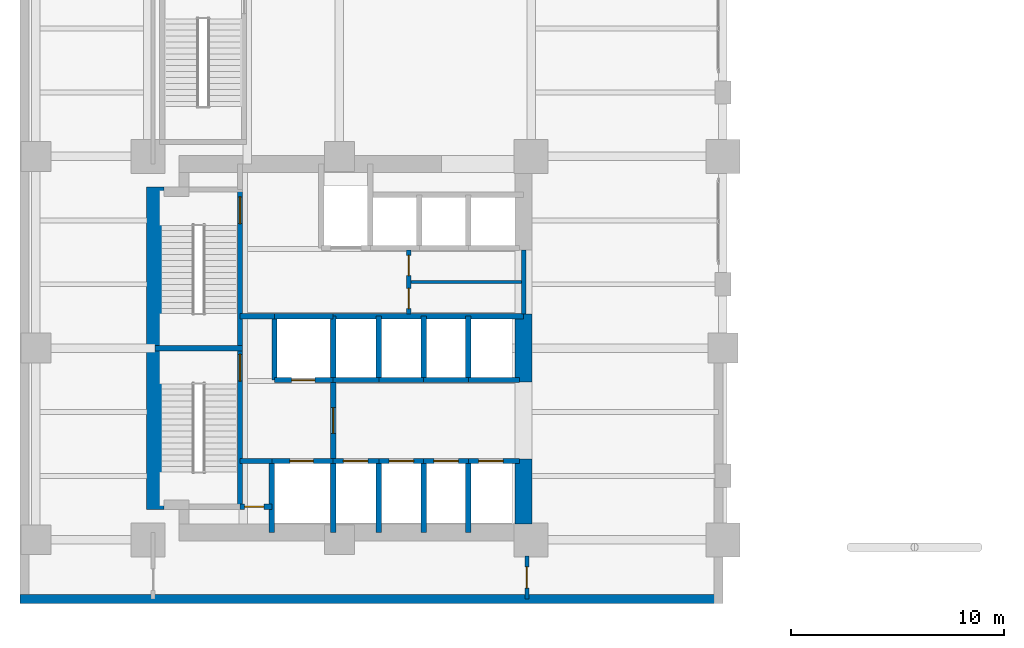
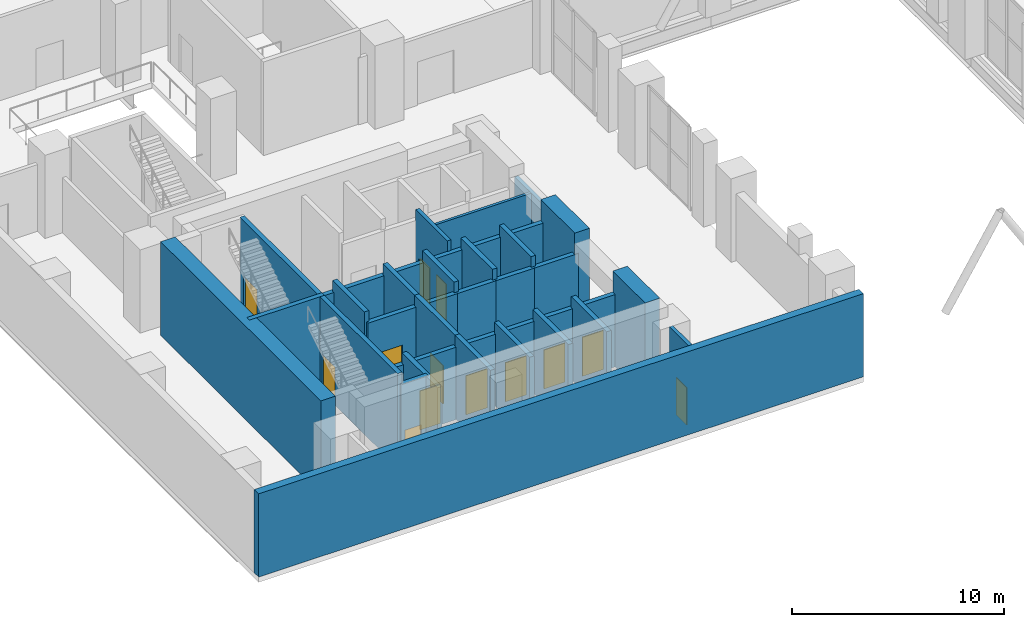
# One storey, part 9 of 13: 37 walls, 13 doors, 13 openings.
"""IFC4 building model written with IfcOpenShell, lengths in metres."""

from ifc_helpers import new_model, si_unit, direction, frame, frame_2d, origin, place, context, subcontext, project, spatial, rectangle, extrude, material, layer, layer_set, type_object, element, fill, save


model = new_model("IFC4")

# Units and contexts
model_context = context("Model", 3, precision=1e-05, world=origin(), true_north=direction((0.0, 1.0)))
body_context = subcontext(model_context, "Body", "Model", "MODEL_VIEW")
ifc_project = project(units=[si_unit("LENGTHUNIT", "METRE"), si_unit("AREAUNIT", "SQUARE_METRE"), si_unit("VOLUMEUNIT", "CUBIC_METRE"), si_unit("PLANEANGLEUNIT", "RADIAN"), si_unit("MASSUNIT", "GRAM", prefix="KILO")], contexts=[model_context])

# Site, building, storey
site_placement = place(None, origin())
site = spatial("IfcSite", under=ifc_project, at=site_placement, CompositionType="ELEMENT")
building_placement = place(site_placement, origin())
building = spatial("IfcBuilding", under=site, at=building_placement, Name="Mawjdan Bourse Tower", CompositionType="ELEMENT")
storey_placement = place(building_placement, frame((0.0, 0.0, 10.800048828125)))
storey = spatial("IfcBuildingStorey", under=building, at=storey_placement, Name="L02", CompositionType="ELEMENT", Elevation=10.800048828125)

# Wall
ifc_material_1 = material(Name="Brick Masonry Buff", Category="masonry")
ifc_layer_1 = layer(ifc_material_1, 0.419921875)
ifc_layer_set_1 = layer_set([ifc_layer_1], Name="Brick Masonry Buff")
wall_type_1 = type_object("IfcWallType", Name="WL-BRK-BUFF-420", PredefinedType="STANDARD", material=ifc_layer_set_1)
wall_1_placement = place(storey_placement, frame((0.0, 0.2099609375, 0.0), z_axis=(0.0, 0.0, 1.0), x_axis=(1.0, 0.0, 0.0)))
element("IfcWall", 1, at=wall_1_placement, inside=storey, type_object=wall_type_1, Name="L02 Podium Brick Wall SW-1", PredefinedType="STANDARD", context=body_context, shape_type="SweptSolid", body=[
    extrude(rectangle(XDim=33.0, YDim=0.419921875, at=frame_2d((16.5, 0.0))), origin(), (0.0, 0.0, 1.0), 4.800048828125),
])

# Wall, openings, doors
ifc_material_2 = material(Name="Gypsum Fireboard Assembly")
ifc_layer_2 = layer(ifc_material_2, 0.199951171875)
ifc_layer_set_2 = layer_set([ifc_layer_2], Name="Gypsum Fireboard Assembly")
wall_type_2 = type_object("IfcWallType", Name="WL-CMP-200", PredefinedType="PARTITIONING", material=ifc_layer_set_2)
wall_2_placement = place(storey_placement, frame((18.25, 13.60009765625, 0.0), z_axis=(0.0, 0.0, 1.0), x_axis=(0.0, 1.0, 0.0)))
wall_2 = element("IfcWall", 2, at=wall_2_placement, inside=storey, type_object=wall_type_2, Name="L02 Core Restroom West Wall", PredefinedType="PARTITIONING", context=body_context, shape_type="SweptSolid", body=[
    extrude(rectangle(XDim=3.0, YDim=0.199951171875, at=frame_2d((1.5, 0.0))), origin(), (0.0, 0.0, 1.0), 4.7900390625),
])
opening_1_placement = place(wall_2_placement, frame((0.25, 0.0, 0.0)))
opening_1 = element("IfcOpeningElement", 3, at=opening_1_placement, cuts=wall_2, Name="Opening D-L02-14", PredefinedType="OPENING", context=body_context, shape_type="SweptSolid", body=[
    extrude(rectangle(XDim=0.949951171875, YDim=2.10009765625, at=frame_2d((0.47509765625, 1.050048828125))), frame((0.0, 0.10986328125, 0.0), z_axis=(0.0, -1.0, 0.0), x_axis=(1.0, 0.0, 0.0)), (0.0, 0.0, 1.0), 0.219970703125),
])
opening_2_placement = place(wall_2_placement, frame((1.800048828125, 0.0, 0.0)))
opening_2 = element("IfcOpeningElement", 4, at=opening_2_placement, cuts=wall_2, Name="Opening D-L02-15", PredefinedType="OPENING", context=body_context, shape_type="SweptSolid", body=[
    extrude(rectangle(XDim=0.949951171875, YDim=2.10009765625, at=frame_2d((0.47509765625, 1.050048828125))), frame((0.0, 0.10986328125, 0.0), z_axis=(0.0, -1.0, 0.0), x_axis=(1.0, 0.0, 0.0)), (0.0, 0.0, 1.0), 0.219970703125),
])
ifc_material_3 = material(Name="Moisture-Resistant Laminate Timber", Category="wood")
door_type_1 = type_object("IfcDoorType", Name="DR-WET-0950", OperationType="NOTDEFINED", PredefinedType="DOOR", material=ifc_material_3)
door_1_placement = place(opening_1_placement, origin())
door_1 = element("IfcDoor", 5, at=door_1_placement, inside=storey, type_object=door_type_1, Name="L02 Accessible WC Entry Door D-L02-14", OperationType="SINGLE_SWING_LEFT", OverallHeight=2.10009765625, OverallWidth=0.949951171875, PredefinedType="DOOR", context=body_context, shape_type="SweptSolid", body=[
    extrude(rectangle(XDim=0.949951171875, YDim=2.10009765625, at=frame_2d((0.47509765625, 1.050048828125))), frame((0.0, 0.02490234375, 0.0), z_axis=(0.0, -1.0, 0.0), x_axis=(1.0, 0.0, 0.0)), (0.0, 0.0, 1.0), 0.050048828125),
])
fill(opening_1, door_1)
door_2_placement = place(opening_2_placement, origin())
door_2 = element("IfcDoor", 6, at=door_2_placement, inside=storey, type_object=door_type_1, Name="L02 Male Restroom Entry Door D-L02-15", OperationType="SINGLE_SWING_RIGHT", OverallHeight=2.10009765625, OverallWidth=0.949951171875, PredefinedType="DOOR", context=body_context, shape_type="SweptSolid", body=[
    extrude(rectangle(XDim=0.949951171875, YDim=2.10009765625, at=frame_2d((0.47509765625, 1.050048828125))), frame((0.0, 0.02490234375, 0.0), z_axis=(0.0, -1.0, 0.0), x_axis=(1.0, 0.0, 0.0)), (0.0, 0.0, 1.0), 0.050048828125),
])
fill(opening_2, door_2)

# Wall
wall_3_placement = place(storey_placement, frame((23.64990234375, 13.60009765625, 0.0), z_axis=(0.0, 0.0, 1.0), x_axis=(0.0, 1.0, 0.0)))
element("IfcWall", 7, at=wall_3_placement, inside=storey, type_object=wall_type_2, Name="L02 Core Restroom East Enclosing Wall", PredefinedType="PARTITIONING", context=body_context, shape_type="SweptSolid", body=[
    extrude(rectangle(XDim=3.0, YDim=0.199951171875, at=frame_2d((1.5, 0.0))), origin(), (0.0, 0.0, 1.0), 4.7900390625),
])

# Wall, opening, door
wall_4_placement = place(storey_placement, frame((23.800048828125, 0.2099609375, 0.0), z_axis=(0.0, 0.0, 1.0), x_axis=(0.0, 1.0, 0.0)))
wall_4 = element("IfcWall", 8, at=wall_4_placement, inside=storey, type_object=wall_type_2, Name="L02 South Overlook Promenade East Wall", PredefinedType="PARTITIONING", context=body_context, shape_type="SweptSolid", body=[
    extrude(rectangle(XDim=2.0400390625, YDim=0.199951171875, at=frame_2d((1.02001953125, 0.0))), origin(), (0.0, 0.0, 1.0), 4.7900390625),
])
opening_3_placement = place(wall_4_placement, frame((0.52001953125, 0.0, 0.0)))
opening_3 = element("IfcOpeningElement", 9, at=opening_3_placement, cuts=wall_4, Name="Opening D-L02-23", PredefinedType="OPENING", context=body_context, shape_type="SweptSolid", body=[
    extrude(rectangle(XDim=1.0, YDim=2.14990234375, at=frame_2d((0.5, 1.074951171875))), frame((0.0, 0.10986328125, 0.0), z_axis=(0.0, -1.0, 0.0), x_axis=(1.0, 0.0, 0.0)), (0.0, 0.0, 1.0), 0.219970703125),
])
ifc_material_4 = material(Name="Hardwood Acoustic Leaf", Category="wood")
door_type_2 = type_object("IfcDoorType", Name="DR-OFC-1000", OperationType="NOTDEFINED", PredefinedType="DOOR", material=ifc_material_4)
door_3_placement = place(opening_3_placement, origin())
door_3 = element("IfcDoor", 10, at=door_3_placement, inside=storey, type_object=door_type_2, Name="L02 South Overlook Promenade East Door D-L02-23", OperationType="SINGLE_SWING_RIGHT", OverallHeight=2.14990234375, OverallWidth=1.0, PredefinedType="DOOR", context=body_context, shape_type="SweptSolid", body=[
    extrude(rectangle(XDim=1.0, YDim=2.14990234375, at=frame_2d((0.5, 1.074951171875))), frame((0.0, 0.02490234375, 0.0), z_axis=(0.0, -1.0, 0.0), x_axis=(1.0, 0.0, 0.0)), (0.0, 0.0, 1.0), 0.050048828125),
])
fill(opening_3, door_3)

# Walls
ifc_material_5 = material(Name="Concrete C80/95", Category="concrete")
ifc_layer_3 = layer(ifc_material_5, 0.800048828125)
ifc_layer_set_3 = layer_set([ifc_layer_3], Name="Concrete C80/95")
wall_type_3 = type_object("IfcWallType", Name="WL-CORE-800", PredefinedType="SHEAR", material=ifc_layer_set_3)
wall_5_placement = place(storey_placement, frame((6.35009765625, 4.425048828125, 0.0), z_axis=(0.0, 0.0, 1.0), x_axis=(0.0, 1.0, 0.0)))
element("IfcWall", 11, at=wall_5_placement, inside=storey, type_object=wall_type_3, Name="L02 Rear Core Shear Wall W", PredefinedType="SHEAR", context=body_context, shape_type="SweptSolid", body=[
    extrude(rectangle(XDim=15.14990234375, YDim=0.800048828125, at=frame_2d((7.574951171875, 0.0))), origin(), (0.0, 0.0, 1.0), 5.39990234375),
])
wall_6_placement = place(storey_placement, frame((23.64990234375, 3.75, 0.0), z_axis=(0.0, 0.0, 1.0), x_axis=(0.0, 1.0, 0.0)))
element("IfcWall", 12, at=wall_6_placement, inside=storey, type_object=wall_type_3, Name="L02 Rear Core Shear Wall E1", PredefinedType="SHEAR", context=body_context, shape_type="SweptSolid", body=[
    extrude(rectangle(XDim=3.050048828125, YDim=0.800048828125, at=frame_2d((1.52490234375, 0.0))), origin(), (0.0, 0.0, 1.0), 5.39990234375),
])
wall_7_placement = place(storey_placement, frame((23.64990234375, 10.39990234375, 0.0), z_axis=(0.0, 0.0, 1.0), x_axis=(0.0, 1.0, 0.0)))
element("IfcWall", 13, at=wall_7_placement, inside=storey, type_object=wall_type_3, Name="L02 Rear Core Shear Wall E2", PredefinedType="SHEAR", context=body_context, shape_type="SweptSolid", body=[
    extrude(rectangle(XDim=3.2001953125, YDim=0.800048828125, at=frame_2d((1.60009765625, 0.0))), origin(), (0.0, 0.0, 1.0), 5.39990234375),
])
ifc_material_6 = material(Name="Gypsum Acoustic Partition")
ifc_layer_4 = layer(ifc_material_6, 0.14990234375)
ifc_layer_set_4 = layer_set([ifc_layer_4], Name="Gypsum Acoustic Partition")
wall_type_4 = type_object("IfcWallType", Name="WL-PRT-150", PredefinedType="PARTITIONING", material=ifc_layer_set_4)
wall_8_placement = place(storey_placement, frame((18.25, 15.10009765625, 0.0), z_axis=(0.0, 0.0, 1.0), x_axis=(1.0, 0.0, 0.0)))
element("IfcWall", 14, at=wall_8_placement, inside=storey, type_object=wall_type_4, Name="L02 Core Restroom Horizontal Split", PredefinedType="PARTITIONING", context=body_context, shape_type="SweptSolid", body=[
    extrude(rectangle(XDim=5.39990234375, YDim=0.14990234375, at=frame_2d((2.699951171875, 0.0))), origin(), (0.0, 0.0, 1.0), 4.7900390625),
])

# Wall, opening, door
ifc_material_7 = material(Name="Concrete C50/60", Category="concrete")
ifc_layer_5 = layer(ifc_material_7, 0.25)
ifc_layer_set_5 = layer_set([ifc_layer_5], Name="Concrete C50/60")
wall_type_5 = type_object("IfcWallType", Name="WL-SHFT-250", PredefinedType="PARTITIONING", material=ifc_layer_set_5)
wall_9_placement = place(storey_placement, frame((10.330078125, 4.550048828125, 0.0), z_axis=(0.0, 0.0, 1.0), x_axis=(1.0, 0.0, 0.0)))
wall_9 = element("IfcWall", 15, at=wall_9_placement, inside=storey, type_object=wall_type_5, Name="L02 SW Riser North Wall", PredefinedType="PARTITIONING", context=body_context, shape_type="SweptSolid", body=[
    extrude(rectangle(XDim=1.489990234375, YDim=0.25, at=frame_2d((0.7451171875, 0.0))), origin(), (0.0, 0.0, 1.0), 4.7900390625),
])
opening_4_placement = place(wall_9_placement, frame((0.219970703125, 0.0, 0.0)))
opening_4 = element("IfcOpeningElement", 16, at=opening_4_placement, cuts=wall_9, Name="Opening RD-L02-03", PredefinedType="OPENING", context=body_context, shape_type="SweptSolid", body=[
    extrude(rectangle(XDim=0.89990234375, YDim=2.10009765625, at=frame_2d((0.449951171875, 1.050048828125))), frame((0.0, 0.135009765625, 0.0), z_axis=(0.0, -1.0, 0.0), x_axis=(1.0, 0.0, 0.0)), (0.0, 0.0, 1.0), 0.27001953125),
])
ifc_material_8 = material(Name="Fire-Rated Steel Access Leaf", Category="steel")
door_type_3 = type_object("IfcDoorType", Name="FD-RSR-0900", OperationType="NOTDEFINED", PredefinedType="TRAPDOOR", material=ifc_material_8)
door_4_placement = place(opening_4_placement, origin())
door_4 = element("IfcDoor", 17, at=door_4_placement, inside=storey, type_object=door_type_3, Name="L02 Electrical Riser Access Door RD-L02-03", OperationType="SINGLE_SWING_LEFT", OverallHeight=2.10009765625, OverallWidth=0.89990234375, PredefinedType="TRAPDOOR", context=body_context, shape_type="SweptSolid", body=[
    extrude(rectangle(XDim=0.89990234375, YDim=2.10009765625, at=frame_2d((0.449951171875, 1.050048828125))), frame((0.0, 0.02490234375, 0.0), z_axis=(0.0, -1.0, 0.0), x_axis=(1.0, 0.0, 0.0)), (0.0, 0.0, 1.0), 0.050048828125),
])
fill(opening_4, door_4)

# Wall
wall_10_placement = place(storey_placement, frame((11.820068359375, 3.35009765625, 0.0), z_axis=(0.0, 0.0, 1.0), x_axis=(0.0, 1.0, 0.0)))
element("IfcWall", 18, at=wall_10_placement, inside=storey, type_object=wall_type_5, Name="L02 SW Riser & FFL01 West Wall", PredefinedType="PARTITIONING", context=body_context, shape_type="SweptSolid", body=[
    extrude(rectangle(XDim=3.349853515625, YDim=0.25, at=frame_2d((1.6748046875, 0.0))), origin(), (0.0, 0.0, 1.0), 4.7900390625),
])

# Wall, opening, door
wall_11_placement = place(storey_placement, frame((11.820068359375, 6.699951171875, 0.0), z_axis=(0.0, 0.0, 1.0), x_axis=(1.0, 0.0, 0.0)))
wall_11 = element("IfcWall", 19, at=wall_11_placement, inside=storey, type_object=wall_type_5, Name="L02 FFL-01 Front Shaft Wall", PredefinedType="PARTITIONING", context=body_context, shape_type="SweptSolid", body=[
    extrude(rectangle(XDim=2.8798828125, YDim=0.25, at=frame_2d((1.43994140625, 0.0))), origin(), (0.0, 0.0, 1.0), 4.1728515625),
])
opening_5_placement = place(wall_11_placement, frame((0.85009765625, 0.0, 0.0)))
opening_5 = element("IfcOpeningElement", 20, at=opening_5_placement, cuts=wall_11, Name="Opening LD-L02-05", PredefinedType="OPENING", context=body_context, shape_type="SweptSolid", body=[
    extrude(rectangle(XDim=1.10009765625, YDim=2.25, at=frame_2d((0.550048828125, 1.125))), frame((0.0, 0.135009765625, 0.0), z_axis=(0.0, -1.0, 0.0), x_axis=(1.0, 0.0, 0.0)), (0.0, 0.0, 1.0), 0.27001953125),
])
ifc_material_9 = material(Name="Brushed Stainless Steel", Category="steel")
door_type_4 = type_object("IfcDoorType", Name="LD-FFL-1100", OperationType="DOUBLE_DOOR_SLIDING", PredefinedType="DOOR", material=ifc_material_9)
door_5_placement = place(opening_5_placement, origin())
door_5 = element("IfcDoor", 21, at=door_5_placement, inside=storey, type_object=door_type_4, Name="L02 Firefighting Lift FFL-01 Landing Door LD-L02-05", OperationType="DOUBLE_DOOR_SLIDING", OverallHeight=2.25, OverallWidth=1.10009765625, PredefinedType="DOOR", context=body_context, shape_type="SweptSolid", body=[
    extrude(rectangle(XDim=1.10009765625, YDim=2.25, at=frame_2d((0.550048828125, 1.125))), frame((0.0, 0.02490234375, 0.0), z_axis=(0.0, -1.0, 0.0), x_axis=(1.0, 0.0, 0.0)), (0.0, 0.0, 1.0), 0.050048828125),
])
fill(opening_5, door_5)

# Wall
wall_12_placement = place(storey_placement, frame((14.699951171875, 3.35009765625, 0.0), z_axis=(0.0, 0.0, 1.0), x_axis=(0.0, 1.0, 0.0)))
element("IfcWall", 22, at=wall_12_placement, inside=storey, type_object=wall_type_5, Name="L02 FFL-01 East Shaft Wall", PredefinedType="PARTITIONING", context=body_context, shape_type="SweptSolid", body=[
    extrude(rectangle(XDim=3.349853515625, YDim=0.25, at=frame_2d((1.6748046875, 0.0))), origin(), (0.0, 0.0, 1.0), 4.7900390625),
])

# Wall, opening, door
wall_13_placement = place(storey_placement, frame((11.949951171875, 10.5, 0.0), z_axis=(0.0, 0.0, 1.0), x_axis=(1.0, 0.0, 0.0)))
wall_13 = element("IfcWall", 23, at=wall_13_placement, inside=storey, type_object=wall_type_5, Name="L02 FFL-02 Front Shaft Wall", PredefinedType="PARTITIONING", context=body_context, shape_type="SweptSolid", body=[
    extrude(rectangle(XDim=2.75, YDim=0.25, at=frame_2d((1.375, 0.0))), origin(), (0.0, 0.0, 1.0), 4.1728515625),
])
opening_6_placement = place(wall_13_placement, frame((0.800048828125, 0.0, 0.0)))
opening_6 = element("IfcOpeningElement", 24, at=opening_6_placement, cuts=wall_13, Name="Opening LD-L02-06", PredefinedType="OPENING", context=body_context, shape_type="SweptSolid", body=[
    extrude(rectangle(XDim=1.10009765625, YDim=2.25, at=frame_2d((0.550048828125, 1.125))), frame((0.0, 0.135009765625, 0.0), z_axis=(0.0, -1.0, 0.0), x_axis=(1.0, 0.0, 0.0)), (0.0, 0.0, 1.0), 0.27001953125),
])
door_6_placement = place(opening_6_placement, origin())
door_6 = element("IfcDoor", 25, at=door_6_placement, inside=storey, type_object=door_type_4, Name="L02 Firefighting Lift FFL-02 Landing Door LD-L02-06", OperationType="DOUBLE_DOOR_SLIDING", OverallHeight=2.25, OverallWidth=1.10009765625, PredefinedType="DOOR", context=body_context, shape_type="SweptSolid", body=[
    extrude(rectangle(XDim=1.10009765625, YDim=2.25, at=frame_2d((0.550048828125, 1.125))), frame((0.0, 0.02490234375, 0.0), z_axis=(0.0, -1.0, 0.0), x_axis=(1.0, 0.0, 0.0)), (0.0, 0.0, 1.0), 0.050048828125),
])
fill(opening_6, door_6)

# Walls
wall_14_placement = place(storey_placement, frame((11.949951171875, 10.5, 0.0), z_axis=(0.0, 0.0, 1.0), x_axis=(0.0, 1.0, 0.0)))
element("IfcWall", 26, at=wall_14_placement, inside=storey, type_object=wall_type_5, Name="L02 FFL-02 West Shaft Wall", PredefinedType="PARTITIONING", context=body_context, shape_type="SweptSolid", body=[
    extrude(rectangle(XDim=3.0, YDim=0.25, at=frame_2d((1.5, 0.0))), origin(), (0.0, 0.0, 1.0), 4.7900390625),
])
wall_15_placement = place(storey_placement, frame((11.949951171875, 13.5, 0.0), z_axis=(0.0, 0.0, 1.0), x_axis=(1.0, 0.0, 0.0)))
element("IfcWall", 27, at=wall_15_placement, inside=storey, type_object=wall_type_5, Name="L02 FFL-02 North Shaft Wall", PredefinedType="PARTITIONING", context=body_context, shape_type="SweptSolid", body=[
    extrude(rectangle(XDim=2.75, YDim=0.25, at=frame_2d((1.375, 0.0))), origin(), (0.0, 0.0, 1.0), 4.1728515625),
])
wall_16_placement = place(storey_placement, frame((14.699951171875, 10.5, 0.0), z_axis=(0.0, 0.0, 1.0), x_axis=(0.0, 1.0, 0.0)))
element("IfcWall", 28, at=wall_16_placement, inside=storey, type_object=wall_type_5, Name="L02 FFL-02 East Shaft Wall", PredefinedType="PARTITIONING", context=body_context, shape_type="SweptSolid", body=[
    extrude(rectangle(XDim=3.0, YDim=0.25, at=frame_2d((1.5, 0.0))), origin(), (0.0, 0.0, 1.0), 4.7900390625),
])

# Wall, opening, door
wall_17_placement = place(storey_placement, frame((14.699951171875, 6.699951171875, 0.0), z_axis=(0.0, 0.0, 1.0), x_axis=(0.0, 1.0, 0.0)))
wall_17 = element("IfcWall", 29, at=wall_17_placement, inside=storey, type_object=wall_type_5, Name="L02 Firefighting Lobby East Compartment Wall", PredefinedType="PARTITIONING", context=body_context, shape_type="SweptSolid", body=[
    extrude(rectangle(XDim=3.800048828125, YDim=0.25, at=frame_2d((1.89990234375, 0.0))), origin(), (0.0, 0.0, 1.0), 4.7900390625),
])
opening_7_placement = place(wall_17_placement, frame((1.300048828125, 0.0, 0.0)))
opening_7 = element("IfcOpeningElement", 30, at=opening_7_placement, cuts=wall_17, Name="Opening FD-L02-07", PredefinedType="OPENING", context=body_context, shape_type="SweptSolid", body=[
    extrude(rectangle(XDim=1.199951171875, YDim=2.199951171875, at=frame_2d((0.60009765625, 1.10009765625))), frame((0.0, 0.135009765625, 0.0), z_axis=(0.0, -1.0, 0.0), x_axis=(1.0, 0.0, 0.0)), (0.0, 0.0, 1.0), 0.27001953125),
])
ifc_material_10 = material(Name="Fire-Rated Steel Leaf", Category="steel")
door_type_5 = type_object("IfcDoorType", Name="FD-FFL-1200", OperationType="NOTDEFINED", PredefinedType="DOOR", material=ifc_material_10)
door_7_placement = place(opening_7_placement, origin())
door_7 = element("IfcDoor", 31, at=door_7_placement, inside=storey, type_object=door_type_5, Name="L02 Firefighting Lobby East Smoke Door FD-L02-07", OperationType="SINGLE_SWING_LEFT", OverallHeight=2.199951171875, OverallWidth=1.199951171875, PredefinedType="DOOR", context=body_context, shape_type="SweptSolid", body=[
    extrude(rectangle(XDim=1.199951171875, YDim=2.199951171875, at=frame_2d((0.60009765625, 1.10009765625))), frame((0.0, 0.02490234375, 0.0), z_axis=(0.0, -1.0, 0.0), x_axis=(1.0, 0.0, 0.0)), (0.0, 0.0, 1.0), 0.050048828125),
])
fill(opening_7, door_7)

# Walls
wall_18_placement = place(storey_placement, frame((10.330078125, 13.5, 0.0), z_axis=(0.0, 0.0, 1.0), x_axis=(1.0, 0.0, 0.0)))
element("IfcWall", 32, at=wall_18_placement, inside=storey, type_object=wall_type_5, Name="L02 Firefighting Lobby North Compartment Wall", PredefinedType="PARTITIONING", context=body_context, shape_type="SweptSolid", body=[
    extrude(rectangle(XDim=1.619873046875, YDim=0.25, at=frame_2d((0.81005859375, 0.0))), origin(), (0.0, 0.0, 1.0), 4.1728515625),
])
wall_19_placement = place(storey_placement, frame((10.330078125, 6.699951171875, 0.0), z_axis=(0.0, 0.0, 1.0), x_axis=(1.0, 0.0, 0.0)))
element("IfcWall", 33, at=wall_19_placement, inside=storey, type_object=wall_type_5, Name="L02 Firefighting Lobby South Closure Wall", PredefinedType="PARTITIONING", context=body_context, shape_type="SweptSolid", body=[
    extrude(rectangle(XDim=1.489990234375, YDim=0.25, at=frame_2d((0.7451171875, 0.0))), origin(), (0.0, 0.0, 1.0), 4.1728515625),
])

# Wall, opening, door
wall_20_placement = place(storey_placement, frame((14.699951171875, 6.699951171875, 0.0), z_axis=(0.0, 0.0, 1.0), x_axis=(1.0, 0.0, 0.0)))
wall_20 = element("IfcWall", 34, at=wall_20_placement, inside=storey, type_object=wall_type_5, Name="L02 PL-04 Front Wall", PredefinedType="PARTITIONING", context=body_context, shape_type="SweptSolid", body=[
    extrude(rectangle(XDim=2.150146484375, YDim=0.25, at=frame_2d((1.0751953125, 0.0))), origin(), (0.0, 0.0, 1.0), 4.1728515625),
])
opening_8_placement = place(wall_20_placement, frame((0.47998046875, 0.0, 0.0)))
opening_8 = element("IfcOpeningElement", 35, at=opening_8_placement, cuts=wall_20, Name="Opening LD-L02-10", PredefinedType="OPENING", context=body_context, shape_type="SweptSolid", body=[
    extrude(rectangle(XDim=1.14990234375, YDim=2.25, at=frame_2d((0.574951171875, 1.125))), frame((0.0, 0.135009765625, 0.0), z_axis=(0.0, -1.0, 0.0), x_axis=(1.0, 0.0, 0.0)), (0.0, 0.0, 1.0), 0.27001953125),
])
door_type_6 = type_object("IfcDoorType", Name="LD-PAS-1150", OperationType="DOUBLE_DOOR_SLIDING", PredefinedType="DOOR", material=ifc_material_9)
door_8_placement = place(opening_8_placement, origin())
door_8 = element("IfcDoor", 36, at=door_8_placement, inside=storey, type_object=door_type_6, Name="L02 Lift PL-04 Landing Door LD-L02-10", OperationType="DOUBLE_DOOR_SLIDING", OverallHeight=2.25, OverallWidth=1.14990234375, PredefinedType="DOOR", context=body_context, shape_type="SweptSolid", body=[
    extrude(rectangle(XDim=1.14990234375, YDim=2.25, at=frame_2d((0.574951171875, 1.125))), frame((0.0, 0.02490234375, 0.0), z_axis=(0.0, -1.0, 0.0), x_axis=(1.0, 0.0, 0.0)), (0.0, 0.0, 1.0), 0.050048828125),
])
fill(opening_8, door_8)

# Wall
wall_21_placement = place(storey_placement, frame((16.85009765625, 3.35009765625, 0.0), z_axis=(0.0, 0.0, 1.0), x_axis=(0.0, 1.0, 0.0)))
element("IfcWall", 37, at=wall_21_placement, inside=storey, type_object=wall_type_5, Name="L02 PL-04 Divider Wall", PredefinedType="PARTITIONING", context=body_context, shape_type="SweptSolid", body=[
    extrude(rectangle(XDim=3.349853515625, YDim=0.25, at=frame_2d((1.6748046875, 0.0))), origin(), (0.0, 0.0, 1.0), 4.7900390625),
])

# Wall, opening, door
wall_22_placement = place(storey_placement, frame((16.85009765625, 6.699951171875, 0.0), z_axis=(0.0, 0.0, 1.0), x_axis=(1.0, 0.0, 0.0)))
wall_22 = element("IfcWall", 38, at=wall_22_placement, inside=storey, type_object=wall_type_5, Name="L02 PL-01 Front Wall", PredefinedType="PARTITIONING", context=body_context, shape_type="SweptSolid", body=[
    extrude(rectangle(XDim=2.099853515625, YDim=0.25, at=frame_2d((1.0498046875, 0.0))), origin(), (0.0, 0.0, 1.0), 4.1728515625),
])
opening_9_placement = place(wall_22_placement, frame((0.47998046875, 0.0, 0.0)))
opening_9 = element("IfcOpeningElement", 39, at=opening_9_placement, cuts=wall_22, Name="Opening LD-L02-11", PredefinedType="OPENING", context=body_context, shape_type="SweptSolid", body=[
    extrude(rectangle(XDim=1.14990234375, YDim=2.25, at=frame_2d((0.574951171875, 1.125))), frame((0.0, 0.135009765625, 0.0), z_axis=(0.0, -1.0, 0.0), x_axis=(1.0, 0.0, 0.0)), (0.0, 0.0, 1.0), 0.27001953125),
])
door_9_placement = place(opening_9_placement, origin())
door_9 = element("IfcDoor", 40, at=door_9_placement, inside=storey, type_object=door_type_6, Name="L02 Lift PL-01 Landing Door LD-L02-11", OperationType="DOUBLE_DOOR_SLIDING", OverallHeight=2.25, OverallWidth=1.14990234375, PredefinedType="DOOR", context=body_context, shape_type="SweptSolid", body=[
    extrude(rectangle(XDim=1.14990234375, YDim=2.25, at=frame_2d((0.574951171875, 1.125))), frame((0.0, 0.02490234375, 0.0), z_axis=(0.0, -1.0, 0.0), x_axis=(1.0, 0.0, 0.0)), (0.0, 0.0, 1.0), 0.050048828125),
])
fill(opening_9, door_9)

# Wall
wall_23_placement = place(storey_placement, frame((18.949951171875, 3.35009765625, 0.0), z_axis=(0.0, 0.0, 1.0), x_axis=(0.0, 1.0, 0.0)))
element("IfcWall", 41, at=wall_23_placement, inside=storey, type_object=wall_type_5, Name="L02 PL-01 Divider Wall", PredefinedType="PARTITIONING", context=body_context, shape_type="SweptSolid", body=[
    extrude(rectangle(XDim=3.349853515625, YDim=0.25, at=frame_2d((1.6748046875, 0.0))), origin(), (0.0, 0.0, 1.0), 4.7900390625),
])

# Wall, opening, door
wall_24_placement = place(storey_placement, frame((18.949951171875, 6.699951171875, 0.0), z_axis=(0.0, 0.0, 1.0), x_axis=(1.0, 0.0, 0.0)))
wall_24 = element("IfcWall", 42, at=wall_24_placement, inside=storey, type_object=wall_type_5, Name="L02 PL-02 Front Wall", PredefinedType="PARTITIONING", context=body_context, shape_type="SweptSolid", body=[
    extrude(rectangle(XDim=2.10009765625, YDim=0.25, at=frame_2d((1.050048828125, 0.0))), origin(), (0.0, 0.0, 1.0), 4.1728515625),
])
opening_10_placement = place(wall_24_placement, frame((0.47998046875, 0.0, 0.0)))
opening_10 = element("IfcOpeningElement", 43, at=opening_10_placement, cuts=wall_24, Name="Opening LD-L02-12", PredefinedType="OPENING", context=body_context, shape_type="SweptSolid", body=[
    extrude(rectangle(XDim=1.14990234375, YDim=2.25, at=frame_2d((0.574951171875, 1.125))), frame((0.0, 0.135009765625, 0.0), z_axis=(0.0, -1.0, 0.0), x_axis=(1.0, 0.0, 0.0)), (0.0, 0.0, 1.0), 0.27001953125),
])
door_10_placement = place(opening_10_placement, origin())
door_10 = element("IfcDoor", 44, at=door_10_placement, inside=storey, type_object=door_type_6, Name="L02 Lift PL-02 Landing Door LD-L02-12", OperationType="DOUBLE_DOOR_SLIDING", OverallHeight=2.25, OverallWidth=1.14990234375, PredefinedType="DOOR", context=body_context, shape_type="SweptSolid", body=[
    extrude(rectangle(XDim=1.14990234375, YDim=2.25, at=frame_2d((0.574951171875, 1.125))), frame((0.0, 0.02490234375, 0.0), z_axis=(0.0, -1.0, 0.0), x_axis=(1.0, 0.0, 0.0)), (0.0, 0.0, 1.0), 0.050048828125),
])
fill(opening_10, door_10)

# Wall
wall_25_placement = place(storey_placement, frame((21.050048828125, 3.35009765625, 0.0), z_axis=(0.0, 0.0, 1.0), x_axis=(0.0, 1.0, 0.0)))
element("IfcWall", 45, at=wall_25_placement, inside=storey, type_object=wall_type_5, Name="L02 PL-02 Divider Wall", PredefinedType="PARTITIONING", context=body_context, shape_type="SweptSolid", body=[
    extrude(rectangle(XDim=3.349853515625, YDim=0.25, at=frame_2d((1.6748046875, 0.0))), origin(), (0.0, 0.0, 1.0), 4.7900390625),
])

# Wall, opening, door
wall_26_placement = place(storey_placement, frame((21.050048828125, 6.699951171875, 0.0), z_axis=(0.0, 0.0, 1.0), x_axis=(1.0, 0.0, 0.0)))
wall_26 = element("IfcWall", 46, at=wall_26_placement, inside=storey, type_object=wall_type_5, Name="L02 PL-03 Front Wall", PredefinedType="PARTITIONING", context=body_context, shape_type="SweptSolid", body=[
    extrude(rectangle(XDim=2.39990234375, YDim=0.25, at=frame_2d((1.199951171875, 0.0))), origin(), (0.0, 0.0, 1.0), 4.1728515625),
])
opening_11_placement = place(wall_26_placement, frame((0.47998046875, 0.0, 0.0)))
opening_11 = element("IfcOpeningElement", 47, at=opening_11_placement, cuts=wall_26, Name="Opening LD-L02-13", PredefinedType="OPENING", context=body_context, shape_type="SweptSolid", body=[
    extrude(rectangle(XDim=1.14990234375, YDim=2.25, at=frame_2d((0.574951171875, 1.125))), frame((0.0, 0.135009765625, 0.0), z_axis=(0.0, -1.0, 0.0), x_axis=(1.0, 0.0, 0.0)), (0.0, 0.0, 1.0), 0.27001953125),
])
door_11_placement = place(opening_11_placement, origin())
door_11 = element("IfcDoor", 48, at=door_11_placement, inside=storey, type_object=door_type_6, Name="L02 Lift PL-03 Landing Door LD-L02-13", OperationType="DOUBLE_DOOR_SLIDING", OverallHeight=2.25, OverallWidth=1.14990234375, PredefinedType="DOOR", context=body_context, shape_type="SweptSolid", body=[
    extrude(rectangle(XDim=1.14990234375, YDim=2.25, at=frame_2d((0.574951171875, 1.125))), frame((0.0, 0.02490234375, 0.0), z_axis=(0.0, -1.0, 0.0), x_axis=(1.0, 0.0, 0.0)), (0.0, 0.0, 1.0), 0.050048828125),
])
fill(opening_11, door_11)

# Walls
wall_27_placement = place(storey_placement, frame((14.699951171875, 10.5, 0.0), z_axis=(0.0, 0.0, 1.0), x_axis=(1.0, 0.0, 0.0)))
element("IfcWall", 49, at=wall_27_placement, inside=storey, type_object=wall_type_5, Name="L02 PM-01 Front Wall", PredefinedType="PARTITIONING", context=body_context, shape_type="SweptSolid", body=[
    extrude(rectangle(XDim=2.150146484375, YDim=0.25, at=frame_2d((1.0751953125, 0.0))), origin(), (0.0, 0.0, 1.0), 4.1728515625),
])
wall_28_placement = place(storey_placement, frame((16.85009765625, 10.5, 0.0), z_axis=(0.0, 0.0, 1.0), x_axis=(0.0, 1.0, 0.0)))
element("IfcWall", 50, at=wall_28_placement, inside=storey, type_object=wall_type_5, Name="L02 PM-01 Divider Wall", PredefinedType="PARTITIONING", context=body_context, shape_type="SweptSolid", body=[
    extrude(rectangle(XDim=3.0, YDim=0.25, at=frame_2d((1.5, 0.0))), origin(), (0.0, 0.0, 1.0), 4.7900390625),
])
wall_29_placement = place(storey_placement, frame((16.85009765625, 10.5, 0.0), z_axis=(0.0, 0.0, 1.0), x_axis=(1.0, 0.0, 0.0)))
element("IfcWall", 51, at=wall_29_placement, inside=storey, type_object=wall_type_5, Name="L02 PM-02 Front Wall", PredefinedType="PARTITIONING", context=body_context, shape_type="SweptSolid", body=[
    extrude(rectangle(XDim=2.099853515625, YDim=0.25, at=frame_2d((1.0498046875, 0.0))), origin(), (0.0, 0.0, 1.0), 4.1728515625),
])
wall_30_placement = place(storey_placement, frame((18.949951171875, 10.5, 0.0), z_axis=(0.0, 0.0, 1.0), x_axis=(0.0, 1.0, 0.0)))
element("IfcWall", 52, at=wall_30_placement, inside=storey, type_object=wall_type_5, Name="L02 PM-02 Divider Wall", PredefinedType="PARTITIONING", context=body_context, shape_type="SweptSolid", body=[
    extrude(rectangle(XDim=3.0, YDim=0.25, at=frame_2d((1.5, 0.0))), origin(), (0.0, 0.0, 1.0), 4.7900390625),
])
wall_31_placement = place(storey_placement, frame((18.949951171875, 10.5, 0.0), z_axis=(0.0, 0.0, 1.0), x_axis=(1.0, 0.0, 0.0)))
element("IfcWall", 53, at=wall_31_placement, inside=storey, type_object=wall_type_5, Name="L02 PM-03 Front Wall", PredefinedType="PARTITIONING", context=body_context, shape_type="SweptSolid", body=[
    extrude(rectangle(XDim=2.10009765625, YDim=0.25, at=frame_2d((1.050048828125, 0.0))), origin(), (0.0, 0.0, 1.0), 4.1728515625),
])
wall_32_placement = place(storey_placement, frame((21.050048828125, 10.5, 0.0), z_axis=(0.0, 0.0, 1.0), x_axis=(0.0, 1.0, 0.0)))
element("IfcWall", 54, at=wall_32_placement, inside=storey, type_object=wall_type_5, Name="L02 PM-03 Divider Wall", PredefinedType="PARTITIONING", context=body_context, shape_type="SweptSolid", body=[
    extrude(rectangle(XDim=3.0, YDim=0.25, at=frame_2d((1.5, 0.0))), origin(), (0.0, 0.0, 1.0), 4.7900390625),
])
wall_33_placement = place(storey_placement, frame((21.050048828125, 10.5, 0.0), z_axis=(0.0, 0.0, 1.0), x_axis=(1.0, 0.0, 0.0)))
element("IfcWall", 55, at=wall_33_placement, inside=storey, type_object=wall_type_5, Name="L02 PM-04 Front Wall", PredefinedType="PARTITIONING", context=body_context, shape_type="SweptSolid", body=[
    extrude(rectangle(XDim=2.39990234375, YDim=0.25, at=frame_2d((1.199951171875, 0.0))), origin(), (0.0, 0.0, 1.0), 4.1728515625),
])
wall_34_placement = place(storey_placement, frame((14.699951171875, 13.5, 0.0), z_axis=(0.0, 0.0, 1.0), x_axis=(1.0, 0.0, 0.0)))
element("IfcWall", 56, at=wall_34_placement, inside=storey, type_object=wall_type_5, Name="L02 PM Bank North Shaft Back Wall", PredefinedType="PARTITIONING", context=body_context, shape_type="SweptSolid", body=[
    extrude(rectangle(XDim=8.949951171875, YDim=0.25, at=frame_2d((4.47509765625, 0.0))), origin(), (0.0, 0.0, 1.0), 4.1728515625),
])
ifc_layer_6 = layer(ifc_material_7, 0.25)
ifc_layer_set_6 = layer_set([ifc_layer_6], Name="Concrete C50/60")
wall_type_6 = type_object("IfcWallType", Name="WL-STRW-250", PredefinedType="SHEAR", material=ifc_layer_set_6)
wall_35_placement = place(storey_placement, frame((6.35009765625, 12.0, 0.0), z_axis=(0.0, 0.0, 1.0), x_axis=(1.0, 0.0, 0.0)))
element("IfcWall", 57, at=wall_35_placement, inside=storey, type_object=wall_type_6, Name="L02 Stairwell Dividing Shaft Wall", PredefinedType="SHEAR", context=body_context, shape_type="SweptSolid", body=[
    extrude(rectangle(XDim=4.10498046875, YDim=0.25, at=frame_2d((2.052490234375, 0.0))), origin(), (0.0, 0.0, 1.0), 5.39990234375),
])

# Wall, opening, door
wall_36_placement = place(storey_placement, frame((10.330078125, 4.550048828125, 0.0), z_axis=(0.0, 0.0, 1.0), x_axis=(0.0, 1.0, 0.0)))
wall_36 = element("IfcWall", 58, at=wall_36_placement, inside=storey, type_object=wall_type_6, Name="L02 Stairwell ST1 East Enclosure Wall", PredefinedType="SHEAR", context=body_context, shape_type="SweptSolid", body=[
    extrude(rectangle(XDim=7.449951171875, YDim=0.25, at=frame_2d((3.72509765625, 0.0))), origin(), (0.0, 0.0, 1.0), 5.39990234375),
])
opening_12_placement = place(wall_36_placement, frame((5.89990234375, 0.0, 0.0)))
opening_12 = element("IfcOpeningElement", 59, at=opening_12_placement, cuts=wall_36, Name="Opening SD-L02-01", PredefinedType="OPENING", context=body_context, shape_type="SweptSolid", body=[
    extrude(rectangle(XDim=1.25, YDim=2.199951171875, at=frame_2d((0.625, 1.10009765625))), frame((0.0, 0.135009765625, 0.0), z_axis=(0.0, -1.0, 0.0), x_axis=(1.0, 0.0, 0.0)), (0.0, 0.0, 1.0), 0.27001953125),
])
door_type_7 = type_object("IfcDoorType", Name="FD-ST-1250", OperationType="NOTDEFINED", PredefinedType="DOOR", material=ifc_material_10)
door_12_placement = place(opening_12_placement, origin())
door_12 = element("IfcDoor", 60, at=door_12_placement, inside=storey, type_object=door_type_7, Name="L02 Exit Stair ST1 Fire Door SD-L02-01", OperationType="SINGLE_SWING_LEFT", OverallHeight=2.199951171875, OverallWidth=1.25, PredefinedType="DOOR", context=body_context, shape_type="SweptSolid", body=[
    extrude(rectangle(XDim=1.25, YDim=2.199951171875, at=frame_2d((0.625, 1.10009765625))), frame((0.0, 0.02490234375, 0.0), z_axis=(0.0, -1.0, 0.0), x_axis=(1.0, 0.0, 0.0)), (0.0, 0.0, 1.0), 0.050048828125),
])
fill(opening_12, door_12)

wall_37_placement = place(storey_placement, frame((10.330078125, 12.0, 0.0), z_axis=(0.0, 0.0, 1.0), x_axis=(0.0, 1.0, 0.0)))
wall_37 = element("IfcWall", 61, at=wall_37_placement, inside=storey, type_object=wall_type_6, Name="L02 Stairwell ST2 East Enclosure Wall", PredefinedType="SHEAR", context=body_context, shape_type="SweptSolid", body=[
    extrude(rectangle(XDim=7.449951171875, YDim=0.25, at=frame_2d((3.72509765625, 0.0))), origin(), (0.0, 0.0, 1.0), 5.39990234375),
])
opening_13_placement = place(wall_37_placement, frame((5.85009765625, 0.0, 0.0)))
opening_13 = element("IfcOpeningElement", 62, at=opening_13_placement, cuts=wall_37, Name="Opening SD-L02-02", PredefinedType="OPENING", context=body_context, shape_type="SweptSolid", body=[
    extrude(rectangle(XDim=1.25, YDim=2.199951171875, at=frame_2d((0.625, 1.10009765625))), frame((0.0, 0.135009765625, 0.0), z_axis=(0.0, -1.0, 0.0), x_axis=(1.0, 0.0, 0.0)), (0.0, 0.0, 1.0), 0.27001953125),
])
door_13_placement = place(opening_13_placement, origin())
door_13 = element("IfcDoor", 63, at=door_13_placement, inside=storey, type_object=door_type_7, Name="L02 Exit Stair ST2 Fire Door SD-L02-02", OperationType="SINGLE_SWING_RIGHT", OverallHeight=2.199951171875, OverallWidth=1.25, PredefinedType="DOOR", context=body_context, shape_type="SweptSolid", body=[
    extrude(rectangle(XDim=1.25, YDim=2.199951171875, at=frame_2d((0.625, 1.10009765625))), frame((0.0, 0.02490234375, 0.0), z_axis=(0.0, -1.0, 0.0), x_axis=(1.0, 0.0, 0.0)), (0.0, 0.0, 1.0), 0.050048828125),
])
fill(opening_13, door_13)

save(model, "model.ifc")
